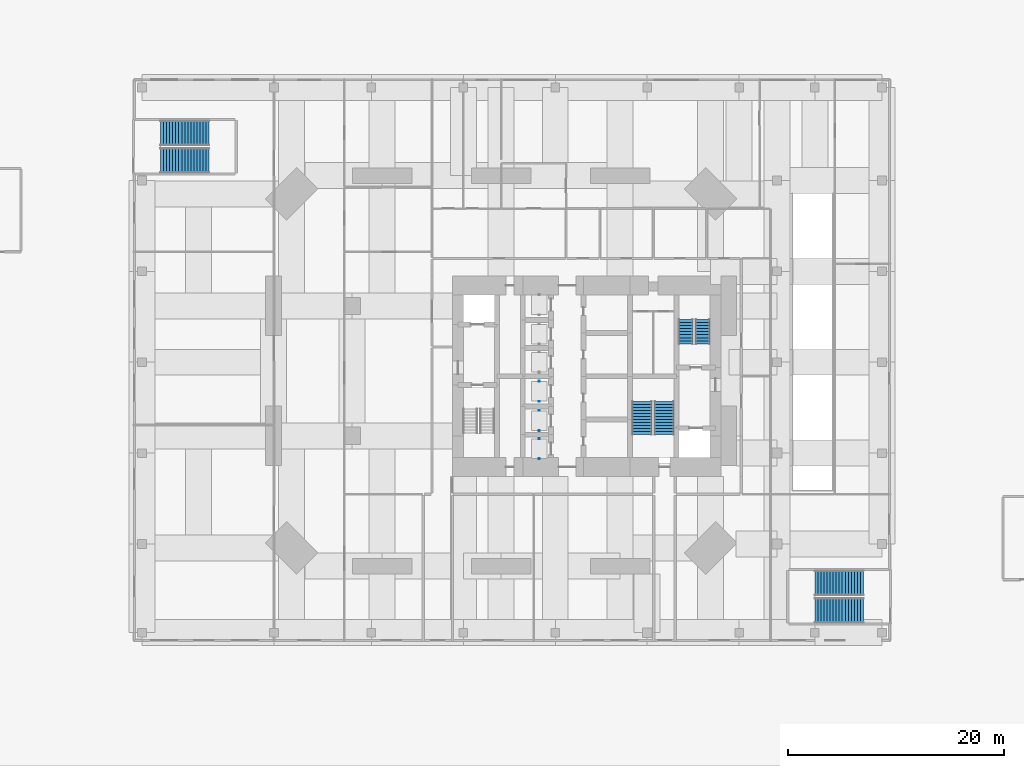
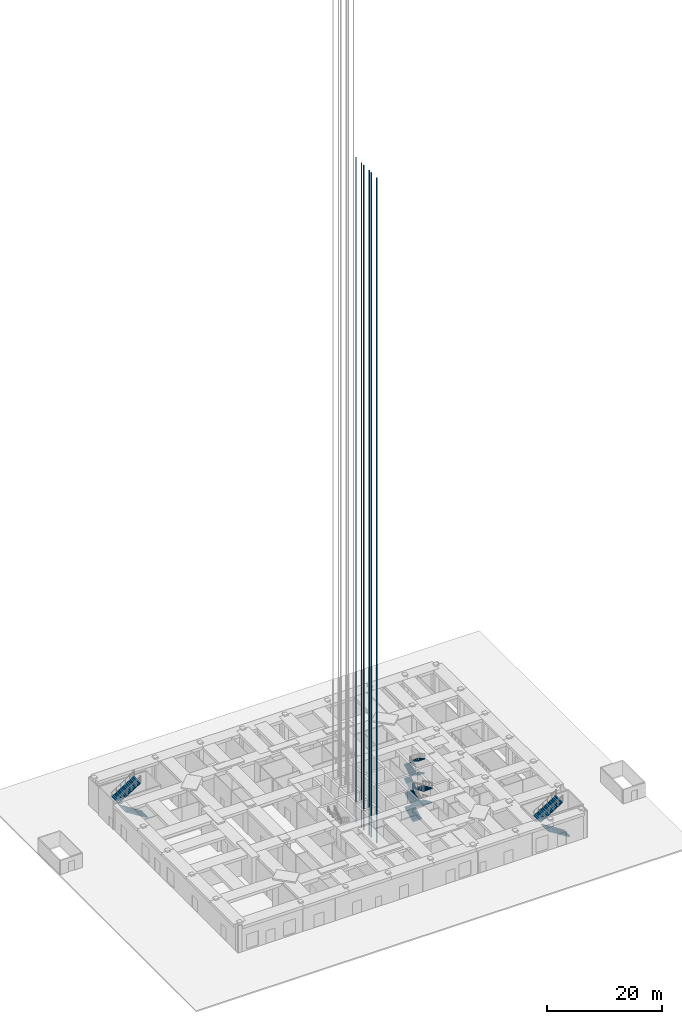
# One storey, part 11 of 17: 12 stair flights, 3 discrete accessories, 4 elements without a shape of their own.
"""IFC4 building model written with IfcOpenShell, lengths in metres."""

from ifc_helpers import new_model, si_unit, direction, frame, origin, origin_2d, place, context, subcontext, project, spatial, polyline, rectangle, outline, extrude, material, type_object, element, aggregate, save


model = new_model("IFC4")

# Units and contexts
model_context = context("Model", 3, precision=1e-05, world=origin(), true_north=direction((0.0, 1.0)))
body_context = subcontext(model_context, "Body", "Model", "MODEL_VIEW")
ifc_project = project(units=[si_unit("LENGTHUNIT", "METRE"), si_unit("AREAUNIT", "SQUARE_METRE"), si_unit("VOLUMEUNIT", "CUBIC_METRE"), si_unit("PLANEANGLEUNIT", "RADIAN"), si_unit("MASSUNIT", "GRAM", prefix="KILO")], contexts=[model_context])

# Site, building, storey
site_placement = place(None, origin())
site = spatial("IfcSite", under=ifc_project, at=site_placement, CompositionType="ELEMENT")
building_placement = place(site_placement, origin())
building = spatial("IfcBuilding", under=site, at=building_placement, Name="Jalousie Tower", CompositionType="ELEMENT")
storey_placement = place(building_placement, origin())
storey = spatial("IfcBuildingStorey", under=building, at=storey_placement, Name="L00", CompositionType="ELEMENT", Elevation=0.0)

# Stair, stair flights
ifc_material_1 = material(Name="Concrete f'c 40 MPa", Category="concrete")
stair_type_1 = type_object("IfcStairType", Name="EXIT STAIR", PredefinedType="HALF_TURN_STAIR", material=ifc_material_1)
stair_1_placement = place(storey_placement, origin())
stair_1 = element("IfcStair", 1, at=stair_1_placement, inside=storey, type_object=stair_type_1, Name="Exit stair B L00", PredefinedType="HALF_TURN_STAIR")
ifc_material_2 = material(Name="Concrete f'c 40 MPa", Category="concrete")
stair_flight_type_1 = type_object("IfcStairFlightType", Name="STAIR FLIGHT", PredefinedType="STRAIGHT", material=ifc_material_2)
stair_flight_1_placement = place(storey_placement, frame((41.081298828125, 21.50244140625, 0.0), z_axis=(0.0, 0.0, 1.0), x_axis=(0.0, 1.0, 0.0)))
stair_flight_1 = element("IfcStairFlight", 2, at=stair_flight_1_placement, type_object=stair_flight_type_1, Name="ST-B flight 1", NumberOfRisers=9, NumberOfTreads=8, PredefinedType="STRAIGHT", RiserHeight=0.166666667, TreadLength=0.28, context=body_context, shape_type="SweptSolid", body=[
    extrude(outline(polyline([(0.0, 0.0), (0.0, 0.166748046875), (0.280029296875, 0.166748046875), (0.280029296875, 0.333251953125), (0.56005859375, 0.333251953125), (0.56005859375, 0.5), (0.840087890625, 0.5), (0.840087890625, 0.666748046875), (1.1201171875, 0.666748046875), (1.1201171875, 0.833251953125), (1.39990234375, 0.833251953125), (1.39990234375, 1.0), (1.679931640625, 1.0), (1.679931640625, 1.166748046875), (1.9599609375, 1.166748046875), (1.9599609375, 1.333251953125), (2.239990234375, 1.333251953125), (2.239990234375, 1.5), (2.239990234375, 1.158935546875), (0.29296875, 0.0), (0.0, 0.0)])), frame((0.0, 0.65625, 0.0), z_axis=(0.0, -1.0, 0.0), x_axis=(1.0, 0.0, 0.0)), (0.0, 0.0, 1.0), 1.3125),
])
stair_flight_2_placement = place(storey_placement, frame((42.643798828125, 23.742431640625, 1.5), z_axis=(0.0, 0.0, 1.0), x_axis=(0.0, -1.0, 0.0)))
stair_flight_2 = element("IfcStairFlight", 3, at=stair_flight_2_placement, type_object=stair_flight_type_1, Name="ST-B flight 2", NumberOfRisers=9, NumberOfTreads=8, PredefinedType="STRAIGHT", RiserHeight=0.166666667, TreadLength=0.28, context=body_context, shape_type="SweptSolid", body=[
    extrude(outline(polyline([(0.0, 0.0), (0.0, 0.166748046875), (0.280029296875, 0.166748046875), (0.280029296875, 0.333251953125), (0.56005859375, 0.333251953125), (0.56005859375, 0.5), (0.840087890625, 0.5), (0.840087890625, 0.666748046875), (1.1201171875, 0.666748046875), (1.1201171875, 0.833251953125), (1.39990234375, 0.833251953125), (1.39990234375, 1.0), (1.679931640625, 1.0), (1.679931640625, 1.166748046875), (1.9599609375, 1.166748046875), (1.9599609375, 1.333251953125), (2.239990234375, 1.333251953125), (2.239990234375, 1.5), (2.239990234375, 1.158935546875), (0.29296875, 0.0), (0.0, 0.0)])), frame((0.0, 0.65625, 0.0), z_axis=(0.0, -1.0, 0.0), x_axis=(1.0, 0.0, 0.0)), (0.0, 0.0, 1.0), 1.3125),
])
stair_flight_3_placement = place(storey_placement, frame((41.081298828125, 21.50244140625, 3.0), z_axis=(0.0, 0.0, 1.0), x_axis=(0.0, 1.0, 0.0)))
stair_flight_3 = element("IfcStairFlight", 4, at=stair_flight_3_placement, type_object=stair_flight_type_1, Name="ST-B flight 3", NumberOfRisers=9, NumberOfTreads=8, PredefinedType="STRAIGHT", RiserHeight=0.166666667, TreadLength=0.28, context=body_context, shape_type="SweptSolid", body=[
    extrude(outline(polyline([(0.0, 0.0), (0.0, 0.166748046875), (0.280029296875, 0.166748046875), (0.280029296875, 0.333251953125), (0.56005859375, 0.333251953125), (0.56005859375, 0.5), (0.840087890625, 0.5), (0.840087890625, 0.666748046875), (1.1201171875, 0.666748046875), (1.1201171875, 0.833251953125), (1.39990234375, 0.833251953125), (1.39990234375, 1.0), (1.679931640625, 1.0), (1.679931640625, 1.166748046875), (1.9599609375, 1.166748046875), (1.9599609375, 1.333251953125), (2.239990234375, 1.333251953125), (2.239990234375, 1.5), (2.239990234375, 1.158935546875), (0.29296875, 0.0), (0.0, 0.0)])), frame((0.0, 0.65625, 0.0), z_axis=(0.0, -1.0, 0.0), x_axis=(1.0, 0.0, 0.0)), (0.0, 0.0, 1.0), 1.3125),
])
stair_flight_4_placement = place(storey_placement, frame((42.643798828125, 23.742431640625, 4.5), z_axis=(0.0, 0.0, 1.0), x_axis=(0.0, -1.0, 0.0)))
stair_flight_4 = element("IfcStairFlight", 5, at=stair_flight_4_placement, type_object=stair_flight_type_1, Name="ST-B flight 4", NumberOfRisers=9, NumberOfTreads=8, PredefinedType="STRAIGHT", RiserHeight=0.166666667, TreadLength=0.28, context=body_context, shape_type="SweptSolid", body=[
    extrude(outline(polyline([(0.0, 0.0), (0.0, 0.166748046875), (0.280029296875, 0.166748046875), (0.280029296875, 0.333251953125), (0.56005859375, 0.333251953125), (0.56005859375, 0.5), (0.840087890625, 0.5), (0.840087890625, 0.666748046875), (1.1201171875, 0.666748046875), (1.1201171875, 0.833251953125), (1.39990234375, 0.833251953125), (1.39990234375, 1.0), (1.679931640625, 1.0), (1.679931640625, 1.166748046875), (1.9599609375, 1.166748046875), (1.9599609375, 1.333251953125), (2.239990234375, 1.333251953125), (2.239990234375, 1.5), (2.239990234375, 1.158935546875), (0.29296875, 0.0), (0.0, 0.0)])), frame((0.0, 0.65625, 0.0), z_axis=(0.0, -1.0, 0.0), x_axis=(1.0, 0.0, 0.0)), (0.0, 0.0, 1.0), 1.3125),
])
aggregate(stair_1, [stair_flight_1, stair_flight_2, stair_flight_3, stair_flight_4])

stair_2_placement = place(storey_placement, origin())
stair_2 = element("IfcStair", 6, at=stair_2_placement, inside=storey, type_object=stair_type_1, Name="Exit stair C L00", PredefinedType="HALF_TURN_STAIR")
stair_flight_5_placement = place(storey_placement, frame((37.02490234375, 13.097412109375, 0.0), z_axis=(0.0, 0.0, 1.0), x_axis=(0.0, 1.0, 0.0)))
stair_flight_5 = element("IfcStairFlight", 7, at=stair_flight_5_placement, type_object=stair_flight_type_1, Name="ST-C flight 1", NumberOfRisers=12, NumberOfTreads=11, PredefinedType="STRAIGHT", RiserHeight=0.125, TreadLength=0.28, context=body_context, shape_type="SweptSolid", body=[
    extrude(outline(polyline([(0.0, 0.0), (0.0, 0.125), (0.280029296875, 0.125), (0.280029296875, 0.25), (0.56005859375, 0.25), (0.56005859375, 0.375), (0.840087890625, 0.375), (0.840087890625, 0.5), (1.1201171875, 0.5), (1.1201171875, 0.625), (1.39990234375, 0.625), (1.39990234375, 0.75), (1.679931640625, 0.75), (1.679931640625, 0.875), (1.9599609375, 0.875), (1.9599609375, 1.0), (2.239990234375, 1.0), (2.239990234375, 1.125), (2.52001953125, 1.125), (2.52001953125, 1.25), (2.800048828125, 1.25), (2.800048828125, 1.375), (3.080078125, 1.375), (3.080078125, 1.5), (3.080078125, 1.2109375), (0.36767578125, 0.0), (0.0, 0.0)])), frame((0.0, 0.89990234375, 0.0), z_axis=(0.0, -1.0, 0.0), x_axis=(1.0, 0.0, 0.0)), (0.0, 0.0, 1.0), 1.800048828125),
])
stair_flight_6_placement = place(storey_placement, frame((39.074951171875, 16.177490234375, 1.5), z_axis=(0.0, 0.0, 1.0), x_axis=(0.0, -1.0, 0.0)))
stair_flight_6 = element("IfcStairFlight", 8, at=stair_flight_6_placement, type_object=stair_flight_type_1, Name="ST-C flight 2", NumberOfRisers=12, NumberOfTreads=11, PredefinedType="STRAIGHT", RiserHeight=0.125, TreadLength=0.28, context=body_context, shape_type="SweptSolid", body=[
    extrude(outline(polyline([(0.0, 0.0), (0.0, 0.125), (0.280029296875, 0.125), (0.280029296875, 0.25), (0.56005859375, 0.25), (0.56005859375, 0.375), (0.840087890625, 0.375), (0.840087890625, 0.5), (1.1201171875, 0.5), (1.1201171875, 0.625), (1.39990234375, 0.625), (1.39990234375, 0.75), (1.679931640625, 0.75), (1.679931640625, 0.875), (1.9599609375, 0.875), (1.9599609375, 1.0), (2.239990234375, 1.0), (2.239990234375, 1.125), (2.52001953125, 1.125), (2.52001953125, 1.25), (2.800048828125, 1.25), (2.800048828125, 1.375), (3.080078125, 1.375), (3.080078125, 1.5), (3.080078125, 1.2109375), (0.36767578125, 0.0), (0.0, 0.0)])), frame((0.0, 0.89990234375, 0.0), z_axis=(0.0, -1.0, 0.0), x_axis=(1.0, 0.0, 0.0)), (0.0, 0.0, 1.0), 1.800048828125),
])
stair_flight_7_placement = place(storey_placement, frame((37.02490234375, 13.097412109375, 3.0), z_axis=(0.0, 0.0, 1.0), x_axis=(0.0, 1.0, 0.0)))
stair_flight_7 = element("IfcStairFlight", 9, at=stair_flight_7_placement, type_object=stair_flight_type_1, Name="ST-C flight 3", NumberOfRisers=12, NumberOfTreads=11, PredefinedType="STRAIGHT", RiserHeight=0.125, TreadLength=0.28, context=body_context, shape_type="SweptSolid", body=[
    extrude(outline(polyline([(0.0, 0.0), (0.0, 0.125), (0.280029296875, 0.125), (0.280029296875, 0.25), (0.56005859375, 0.25), (0.56005859375, 0.375), (0.840087890625, 0.375), (0.840087890625, 0.5), (1.1201171875, 0.5), (1.1201171875, 0.625), (1.39990234375, 0.625), (1.39990234375, 0.75), (1.679931640625, 0.75), (1.679931640625, 0.875), (1.9599609375, 0.875), (1.9599609375, 1.0), (2.239990234375, 1.0), (2.239990234375, 1.125), (2.52001953125, 1.125), (2.52001953125, 1.25), (2.800048828125, 1.25), (2.800048828125, 1.375), (3.080078125, 1.375), (3.080078125, 1.5), (3.080078125, 1.2109375), (0.36767578125, 0.0), (0.0, 0.0)])), frame((0.0, 0.89990234375, 0.0), z_axis=(0.0, -1.0, 0.0), x_axis=(1.0, 0.0, 0.0)), (0.0, 0.0, 1.0), 1.800048828125),
])
stair_flight_8_placement = place(storey_placement, frame((39.074951171875, 16.177490234375, 4.5), z_axis=(0.0, 0.0, 1.0), x_axis=(0.0, -1.0, 0.0)))
stair_flight_8 = element("IfcStairFlight", 10, at=stair_flight_8_placement, type_object=stair_flight_type_1, Name="ST-C flight 4", NumberOfRisers=12, NumberOfTreads=11, PredefinedType="STRAIGHT", RiserHeight=0.125, TreadLength=0.28, context=body_context, shape_type="SweptSolid", body=[
    extrude(outline(polyline([(0.0, 0.0), (0.0, 0.125), (0.280029296875, 0.125), (0.280029296875, 0.25), (0.56005859375, 0.25), (0.56005859375, 0.375), (0.840087890625, 0.375), (0.840087890625, 0.5), (1.1201171875, 0.5), (1.1201171875, 0.625), (1.39990234375, 0.625), (1.39990234375, 0.75), (1.679931640625, 0.75), (1.679931640625, 0.875), (1.9599609375, 0.875), (1.9599609375, 1.0), (2.239990234375, 1.0), (2.239990234375, 1.125), (2.52001953125, 1.125), (2.52001953125, 1.25), (2.800048828125, 1.25), (2.800048828125, 1.375), (3.080078125, 1.375), (3.080078125, 1.5), (3.080078125, 1.2109375), (0.36767578125, 0.0), (0.0, 0.0)])), frame((0.0, 0.89990234375, 0.0), z_axis=(0.0, -1.0, 0.0), x_axis=(1.0, 0.0, 0.0)), (0.0, 0.0, 1.0), 1.800048828125),
])
aggregate(stair_2, [stair_flight_5, stair_flight_6, stair_flight_7, stair_flight_8])

ifc_material_3 = material(Name="Concrete f'c 40 MPa", Category="concrete")
stair_type_2 = type_object("IfcStairType", Name="WIDE EXIT STAIR", PredefinedType="HALF_TURN_STAIR", material=ifc_material_3)
stair_3_placement = place(storey_placement, origin())
stair_3 = element("IfcStair", 11, at=stair_3_placement, inside=storey, type_object=stair_type_2, Name="Exit stair PS1 L00", PredefinedType="HALF_TURN_STAIR")
ifc_material_4 = material(Name="Concrete f'c 40 MPa", Category="concrete")
stair_flight_type_2 = type_object("IfcStairFlightType", Name="WIDE STAIR FLIGHT", PredefinedType="STRAIGHT", material=ifc_material_4)
stair_flight_9_placement = place(storey_placement, frame((-3.010009765625, 38.449951171875, 0.0), z_axis=(0.0, 0.0, 1.0), x_axis=(-1.0, 0.0, 0.0)))
stair_flight_9 = element("IfcStairFlight", 12, at=stair_flight_9_placement, type_object=stair_flight_type_2, Name="PS1 flight 1", NumberOfRisers=17, NumberOfTreads=16, PredefinedType="STRAIGHT", RiserHeight=0.176470588, TreadLength=0.28, context=body_context, shape_type="SweptSolid", body=[
    extrude(outline(polyline([(0.0, 0.0), (0.0, 0.176513671875), (0.280029296875, 0.176513671875), (0.280029296875, 0.35302734375), (0.56005859375, 0.35302734375), (0.56005859375, 0.529296875), (0.840087890625, 0.529296875), (0.840087890625, 0.705810546875), (1.1201171875, 0.705810546875), (1.1201171875, 0.88232421875), (1.39990234375, 0.88232421875), (1.39990234375, 1.058837890625), (1.679931640625, 1.058837890625), (1.679931640625, 1.2353515625), (1.9599609375, 1.2353515625), (1.9599609375, 1.411865234375), (2.239990234375, 1.411865234375), (2.239990234375, 1.588134765625), (2.52001953125, 1.588134765625), (2.52001953125, 1.7646484375), (2.800048828125, 1.7646484375), (2.800048828125, 1.941162109375), (3.080078125, 1.941162109375), (3.080078125, 2.11767578125), (3.360107421875, 2.11767578125), (3.360107421875, 2.294189453125), (3.639892578125, 2.294189453125), (3.639892578125, 2.470703125), (3.919921875, 2.470703125), (3.919921875, 2.64697265625), (4.199951171875, 2.64697265625), (4.199951171875, 2.823486328125), (4.47998046875, 2.823486328125), (4.47998046875, 3.0), (4.47998046875, 2.646240234375), (0.28125, 0.0), (0.0, 0.0)])), frame((0.0, 1.14990234375, 0.0), z_axis=(0.0, -1.0, 0.0), x_axis=(1.0, 0.0, 0.0)), (0.0, 0.0, 1.0), 2.300048828125),
])
stair_flight_10_placement = place(storey_placement, frame((-7.489990234375, 41.0, 3.0), z_axis=(0.0, 0.0, 1.0), x_axis=(1.0, 0.0, 0.0)))
stair_flight_10 = element("IfcStairFlight", 13, at=stair_flight_10_placement, type_object=stair_flight_type_2, Name="PS1 flight 2", NumberOfRisers=17, NumberOfTreads=16, PredefinedType="STRAIGHT", RiserHeight=0.176470588, TreadLength=0.28, context=body_context, shape_type="SweptSolid", body=[
    extrude(outline(polyline([(0.0, 0.0), (0.0, 0.176513671875), (0.280029296875, 0.176513671875), (0.280029296875, 0.35302734375), (0.56005859375, 0.35302734375), (0.56005859375, 0.529296875), (0.840087890625, 0.529296875), (0.840087890625, 0.705810546875), (1.1201171875, 0.705810546875), (1.1201171875, 0.88232421875), (1.39990234375, 0.88232421875), (1.39990234375, 1.058837890625), (1.679931640625, 1.058837890625), (1.679931640625, 1.2353515625), (1.9599609375, 1.2353515625), (1.9599609375, 1.411865234375), (2.239990234375, 1.411865234375), (2.239990234375, 1.588134765625), (2.52001953125, 1.588134765625), (2.52001953125, 1.7646484375), (2.800048828125, 1.7646484375), (2.800048828125, 1.941162109375), (3.080078125, 1.941162109375), (3.080078125, 2.11767578125), (3.360107421875, 2.11767578125), (3.360107421875, 2.294189453125), (3.639892578125, 2.294189453125), (3.639892578125, 2.470703125), (3.919921875, 2.470703125), (3.919921875, 2.64697265625), (4.199951171875, 2.64697265625), (4.199951171875, 2.823486328125), (4.47998046875, 2.823486328125), (4.47998046875, 3.0), (4.47998046875, 2.646240234375), (0.28125, 0.0), (0.0, 0.0)])), frame((0.0, 1.14990234375, 0.0), z_axis=(0.0, -1.0, 0.0), x_axis=(1.0, 0.0, 0.0)), (0.0, 0.0, 1.0), 2.300048828125),
])
aggregate(stair_3, [stair_flight_9, stair_flight_10])

stair_4_placement = place(storey_placement, origin())
stair_4 = element("IfcStair", 14, at=stair_4_placement, inside=storey, type_object=stair_type_2, Name="Exit stair PS2 L00", PredefinedType="HALF_TURN_STAIR")
stair_flight_11_placement = place(storey_placement, frame((57.489990234375, -3.14990234375, 0.0), z_axis=(0.0, 0.0, 1.0), x_axis=(-1.0, 0.0, 0.0)))
stair_flight_11 = element("IfcStairFlight", 15, at=stair_flight_11_placement, type_object=stair_flight_type_2, Name="PS2 flight 1", NumberOfRisers=17, NumberOfTreads=16, PredefinedType="STRAIGHT", RiserHeight=0.176470588, TreadLength=0.28, context=body_context, shape_type="SweptSolid", body=[
    extrude(outline(polyline([(0.0, 0.0), (0.0, 0.176513671875), (0.280029296875, 0.176513671875), (0.280029296875, 0.35302734375), (0.56005859375, 0.35302734375), (0.56005859375, 0.529296875), (0.840087890625, 0.529296875), (0.840087890625, 0.705810546875), (1.1201171875, 0.705810546875), (1.1201171875, 0.88232421875), (1.39990234375, 0.88232421875), (1.39990234375, 1.058837890625), (1.679931640625, 1.058837890625), (1.679931640625, 1.2353515625), (1.9599609375, 1.2353515625), (1.9599609375, 1.411865234375), (2.239990234375, 1.411865234375), (2.239990234375, 1.588134765625), (2.52001953125, 1.588134765625), (2.52001953125, 1.7646484375), (2.800048828125, 1.7646484375), (2.800048828125, 1.941162109375), (3.080078125, 1.941162109375), (3.080078125, 2.11767578125), (3.360107421875, 2.11767578125), (3.360107421875, 2.294189453125), (3.639892578125, 2.294189453125), (3.639892578125, 2.470703125), (3.919921875, 2.470703125), (3.919921875, 2.64697265625), (4.199951171875, 2.64697265625), (4.199951171875, 2.823486328125), (4.47998046875, 2.823486328125), (4.47998046875, 3.0), (4.47998046875, 2.646240234375), (0.28125, 0.0), (0.0, 0.0)])), frame((0.0, 1.14990234375, 0.0), z_axis=(0.0, -1.0, 0.0), x_axis=(1.0, 0.0, 0.0)), (0.0, 0.0, 1.0), 2.300048828125),
])
stair_flight_12_placement = place(storey_placement, frame((53.010009765625, -0.60009765625, 3.0), z_axis=(0.0, 0.0, 1.0), x_axis=(1.0, 0.0, 0.0)))
stair_flight_12 = element("IfcStairFlight", 16, at=stair_flight_12_placement, type_object=stair_flight_type_2, Name="PS2 flight 2", NumberOfRisers=17, NumberOfTreads=16, PredefinedType="STRAIGHT", RiserHeight=0.176470588, TreadLength=0.28, context=body_context, shape_type="SweptSolid", body=[
    extrude(outline(polyline([(0.0, 0.0), (0.0, 0.176513671875), (0.280029296875, 0.176513671875), (0.280029296875, 0.35302734375), (0.56005859375, 0.35302734375), (0.56005859375, 0.529296875), (0.840087890625, 0.529296875), (0.840087890625, 0.705810546875), (1.1201171875, 0.705810546875), (1.1201171875, 0.88232421875), (1.39990234375, 0.88232421875), (1.39990234375, 1.058837890625), (1.679931640625, 1.058837890625), (1.679931640625, 1.2353515625), (1.9599609375, 1.2353515625), (1.9599609375, 1.411865234375), (2.239990234375, 1.411865234375), (2.239990234375, 1.588134765625), (2.52001953125, 1.588134765625), (2.52001953125, 1.7646484375), (2.800048828125, 1.7646484375), (2.800048828125, 1.941162109375), (3.080078125, 1.941162109375), (3.080078125, 2.11767578125), (3.360107421875, 2.11767578125), (3.360107421875, 2.294189453125), (3.639892578125, 2.294189453125), (3.639892578125, 2.470703125), (3.919921875, 2.470703125), (3.919921875, 2.64697265625), (4.199951171875, 2.64697265625), (4.199951171875, 2.823486328125), (4.47998046875, 2.823486328125), (4.47998046875, 3.0), (4.47998046875, 2.646240234375), (0.28125, 0.0), (0.0, 0.0)])), frame((0.0, 1.14990234375, 0.0), z_axis=(0.0, -1.0, 0.0), x_axis=(1.0, 0.0, 0.0)), (0.0, 0.0, 1.0), 2.300048828125),
])
aggregate(stair_4, [stair_flight_11, stair_flight_12])

# Discrete accessories
ifc_material_5 = material(Name="Steel ASTM A992 Grade 50", Category="steel")
discrete_accessory_type = type_object("IfcDiscreteAccessoryType", Name="LIFT GUIDE RAIL", PredefinedType="USERDEFINED", material=ifc_material_5)
for number, where, z_axis, x_axis, name in (
    (17, (27.52490234375, 11.800048828125, 0.0), (0.0, 0.0, 1.0), (1.0, 0.0, 0.0), "Lift P1 guide rails"),
    (18, (27.52490234375, 14.39990234375, 0.0), (0.0, 0.0, 1.0), (1.0, 0.0, 0.0), "Lift P2 guide rails"),
    (19, (27.52490234375, 17.10009765625, 0.0), (0.0, 0.0, 1.0), (1.0, 0.0, 0.0), "Lift P3 guide rails"),
):
    element("IfcDiscreteAccessory", number, at=place(storey_placement, frame(where, z_axis=z_axis, x_axis=x_axis)), inside=storey, type_object=discrete_accessory_type, Name=name, ObjectType="LIFT GUIDE RAILS", PredefinedType="USERDEFINED", context=body_context, shape_type="SweptSolid", body=[
        extrude(rectangle(XDim=0.09, YDim=0.075, at=origin_2d()), frame((0.0, -0.9375, 0.0)), (0.0, 0.0, 1.0), 140.75),
        extrude(rectangle(XDim=0.09, YDim=0.075, at=origin_2d()), frame((0.0, 0.9375, 0.0)), (0.0, 0.0, 1.0), 140.75),
    ])

save(model, "model.ifc")
